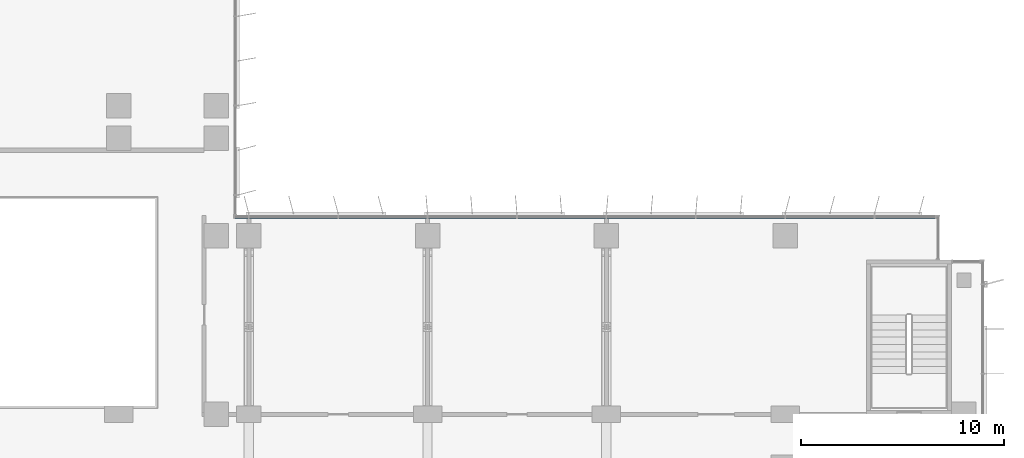
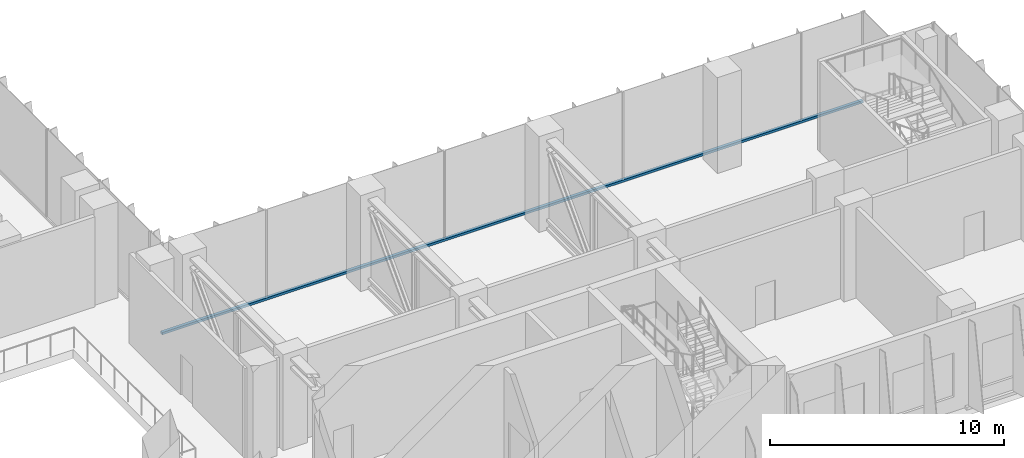
# One storey, part 3 of 21: 1 member, 1 element without a shape of its own.
"""IFC4 building model written with IfcOpenShell, lengths in metres."""

import ifcopenshell
import ifcopenshell.guid

model = None  # the IFC model being written
_history = None  # IfcOwnerHistory: only IFC2X3 demands one
_inside = {}  # id of a spatial element -> (the spatial element, [elements in it])
_under = {}  # id of a project, library or spatial element -> (it, [spatial elements below it])
_declared = {}  # id of a project -> (the project, [libraries it declares])
_typed = {}  # id of a type object -> (the type object, [elements of that type])
_made_of = {}  # id of a material, layer set ... -> (it, [elements and type objects made of it])


def new_model(schema):
    """Start an empty IFC model of exactly this schema.

    Asked for "IFC4X3", IfcOpenShell would pick the latest addendum, in which some entities
    have other attributes; the version numbers below select the first issue.
    IFC2X3 requires an IfcOwnerHistory on every rooted entity: one is made here for all.
    """
    global model, _history
    if schema == "IFC4X3":
        model = ifcopenshell.file(schema_version=(4, 3, 0, 0))
    else:
        model = ifcopenshell.file(schema=schema)
    _inside.clear()
    _under.clear()
    _declared.clear()
    _typed.clear()
    _made_of.clear()
    _history = None
    if model.schema == "IFC2X3":
        org = make("IfcOrganization", Name="unknown")
        user = make(
            "IfcPersonAndOrganization",
            ThePerson=make("IfcPerson", FamilyName="unknown"),
            TheOrganization=org,
        )
        app = make(
            "IfcApplication",
            ApplicationDeveloper=org,
            Version="unknown",
            ApplicationFullName="unknown",
            ApplicationIdentifier="unknown",
        )
        _history = make(
            "IfcOwnerHistory",
            OwningUser=user,
            OwningApplication=app,
            ChangeAction="ADDED",
            CreationDate=0,
        )
    return model


def make(cls, **values):
    """One entity of the class cls with the attributes given. An attribute that is None is left unset."""
    return model.create_entity(
        cls, **{name: value for name, value in values.items() if value is not None}
    )


def rooted(cls, **values):
    """An entity with a GlobalId (a new one), such as an element, a storey or a relation."""
    return make(cls, GlobalId=ifcopenshell.guid.new(), OwnerHistory=_history, **values)


def si_unit(unit_type, name, prefix=None):
    """IfcSIUnit, for example si_unit("LENGTHUNIT", "METRE", prefix="MILLI")."""
    return make("IfcSIUnit", UnitType=unit_type, Prefix=prefix, Name=name)


def assignment(units):
    """IfcUnitAssignment: the units of a project."""
    return None if units is None else make("IfcUnitAssignment", Units=units)


def point(xyz):
    """IfcCartesianPoint."""
    return None if xyz is None else make("IfcCartesianPoint", Coordinates=xyz)


def direction(xyz):
    """IfcDirection."""
    return None if xyz is None else make("IfcDirection", DirectionRatios=xyz)


def frame(location, z_axis=None, x_axis=None):
    """IfcAxis2Placement3D, a coordinate frame: its origin and axes. An axis left out is left unset."""
    return make(
        "IfcAxis2Placement3D",
        Location=point(location),
        Axis=direction(z_axis),
        RefDirection=direction(x_axis),
    )


def frame_2d(location, x_axis=None):
    """IfcAxis2Placement2D, a coordinate frame in the plane: its origin and x axis."""
    return make(
        "IfcAxis2Placement2D", Location=point(location), RefDirection=direction(x_axis)
    )


def origin():
    """The frame at (0, 0, 0) with its axes left unset."""
    return frame((0.0, 0.0, 0.0))


def origin_2d():
    """The frame at (0, 0) in the plane with its x axis left unset."""
    return frame_2d((0.0, 0.0))


def place(relative_to, where):
    """IfcLocalPlacement: puts the frame where relative to a parent placement (None: the world)."""
    return make(
        "IfcLocalPlacement", PlacementRelTo=relative_to, RelativePlacement=where
    )


def context(
    kind, dimensions, precision=None, world=None, true_north=None, identifier=None
):
    """IfcGeometricRepresentationContext, for example the 3D "Model" context."""
    return make(
        "IfcGeometricRepresentationContext",
        ContextIdentifier=identifier,
        ContextType=kind,
        CoordinateSpaceDimension=dimensions,
        Precision=precision,
        WorldCoordinateSystem=world,
        TrueNorth=true_north,
    )


def subcontext(parent, identifier, kind, view, scale=None):
    """IfcGeometricRepresentationSubContext, for example "Body" below "Model"."""
    return make(
        "IfcGeometricRepresentationSubContext",
        ContextIdentifier=identifier,
        ContextType=kind,
        ParentContext=parent,
        TargetScale=scale,
        TargetView=view,
    )


def project(units=None, contexts=None):
    """IfcProject with its units and contexts."""
    return rooted(
        "IfcProject",
        Name="project",
        RepresentationContexts=contexts,
        UnitsInContext=assignment(units),
    )


def spatial(cls, under=None, at=None, **own):
    """A site, building, storey or space (cls), placed at a placement, below another one or the project."""
    s = rooted(cls, ObjectPlacement=at, **own)
    if under is not None:
        _under.setdefault(under.id(), (under, []))[1].append(s)
    return s


def profile(cls, at=None, kind="AREA", **sizes):
    """A parametric profile (cls). Its sizes go by their IFC names, for example OverallWidth=200.0."""
    return make(cls, ProfileType=kind, Position=at, **sizes)


def rectangle(**sizes):
    """IfcRectangleProfileDef."""
    return profile("IfcRectangleProfileDef", **sizes)


def extrude(swept, where, along, depth):
    """IfcExtrudedAreaSolid: the profile swept, set in the frame where, extruded along a direction by depth."""
    return make(
        "IfcExtrudedAreaSolid",
        SweptArea=swept,
        Position=where,
        ExtrudedDirection=direction(along),
        Depth=depth,
    )


def shape(context_of_items, identifier, shape_type, items):
    """IfcShapeRepresentation: the items that make up one representation, for example the "Body"."""
    return make(
        "IfcShapeRepresentation",
        ContextOfItems=context_of_items,
        RepresentationIdentifier=identifier,
        RepresentationType=shape_type,
        Items=items,
    )


def material(Name=None, Category=None):
    """IfcMaterial."""
    return make("IfcMaterial", Name=Name, Category=Category)


def material_profile(
    of_material, cross_section, Name=None, Category=None, Priority=None
):
    """IfcMaterialProfile: a cross section and its material."""
    return make(
        "IfcMaterialProfile",
        Name=Name,
        Material=of_material,
        Profile=cross_section,
        Priority=Priority,
        Category=Category,
    )


def profile_set(profiles, Name=None, composite=None):
    """IfcMaterialProfileSet."""
    return make(
        "IfcMaterialProfileSet",
        Name=Name,
        MaterialProfiles=profiles,
        CompositeProfile=composite,
    )


def made_of(thing, what):
    """Note that an element or type object is made of a material, layer set ...; save() writes the relation."""
    if what is not None:
        _made_of.setdefault(what.id(), (what, []))[1].append(thing)
    return thing


def type_object(cls, material=None, **own):
    """A type object (cls), such as IfcWallType, which elements share."""
    return made_of(rooted(cls, **own), material)


def element(
    cls,
    number,
    at=None,
    inside=None,
    cuts=None,
    type_object=None,
    material=None,
    context=None,
    identifier="Body",
    shape_type=None,
    held_by="IfcProductDefinitionShape",
    body=None,
    shapes=None,
    **own,
):
    """One element of the class cls, such as IfcWall. Its Tag is "e" and its number.

    at: its placement. inside: the storey or other place that contains it. cuts: it is an
    opening in that element (IfcRelVoidsElement). A single representation is given by context,
    identifier, shape_type and body (its items); several are given by shapes. held_by: the class
    of the entity that holds the representations. save() writes the other relations.
    """
    e = rooted(cls, Tag="e%d" % number, ObjectPlacement=at, **own)
    if body is not None:
        shapes = [shape(context, identifier, shape_type, body)]
    if shapes is not None:
        e.Representation = make(held_by, Representations=shapes)
    if inside is not None:
        _inside.setdefault(inside.id(), (inside, []))[1].append(e)
    if cuts is not None:
        rooted(
            "IfcRelVoidsElement", RelatingBuildingElement=cuts, RelatedOpeningElement=e
        )
    if type_object is not None:
        _typed.setdefault(type_object.id(), (type_object, []))[1].append(e)
    return made_of(e, material)


def aggregate(whole, parts):
    """IfcRelAggregates: a whole, such as a stair, and the parts it consists of."""
    return rooted("IfcRelAggregates", RelatingObject=whole, RelatedObjects=parts)


def save(model, path):
    """Write the relations noted so far, then the file.

    IfcRelAggregates (storeys below a building ...), IfcRelContainedInSpatialStructure (elements
    in a storey), IfcRelDefinesByType, IfcRelAssociatesMaterial and IfcRelDeclares: one each for
    every whole, place, type object, material and project.
    """
    for whole, parts in _under.values():
        aggregate(whole, parts)
    for where, things in _inside.values():
        rooted(
            "IfcRelContainedInSpatialStructure",
            RelatedElements=things,
            RelatingStructure=where,
        )
    for kind, things in _typed.values():
        rooted("IfcRelDefinesByType", RelatedObjects=things, RelatingType=kind)
    for what, things in _made_of.values():
        rooted("IfcRelAssociatesMaterial", RelatedObjects=things, RelatingMaterial=what)
    for by, libraries in _declared.values():
        rooted("IfcRelDeclares", RelatingContext=by, RelatedDefinitions=libraries)
    model.write(path)


model = new_model("IFC4")

# Units and contexts
model_context = context("Model", 3, precision=1e-05, world=origin(), true_north=direction((0.0, 1.0)))
body_context = subcontext(model_context, "Body", "Model", "MODEL_VIEW")
ifc_project = project(units=[si_unit("LENGTHUNIT", "METRE"), si_unit("AREAUNIT", "SQUARE_METRE"), si_unit("VOLUMEUNIT", "CUBIC_METRE"), si_unit("PLANEANGLEUNIT", "RADIAN"), si_unit("MASSUNIT", "GRAM", prefix="KILO")], contexts=[model_context])

# Site, building, storey
site_placement = place(None, origin())
site = spatial("IfcSite", under=ifc_project, at=site_placement, CompositionType="ELEMENT")
building_placement = place(site_placement, origin())
building = spatial("IfcBuilding", under=site, at=building_placement, Name="Kemantara Hotel Tower", CompositionType="ELEMENT")
storey_placement = place(building_placement, frame((0.0, 0.0, 133.300048828125)))
storey = spatial("IfcBuildingStorey", under=building, at=storey_placement, Name="L32", CompositionType="ELEMENT", Elevation=133.300048828125)

# Curtain wall, member
ifc_material_1 = material(Name="Low-E tinted double insulated glass 36 mm", Category="glass")
curtain_wall_type = type_object("IfcCurtainWallType", Name="TOWER CURTAIN WALL, FRONT FACES", PredefinedType="USERDEFINED", material=ifc_material_1)
curtain_wall_placement = place(storey_placement, origin())
curtain_wall = element("IfcCurtainWall", 1, at=curtain_wall_placement, inside=storey, type_object=curtain_wall_type, Name="CW4 L32 T2-R13-1", ObjectType="TOWER CURTAIN WALL, FRONT FACES", PredefinedType="USERDEFINED")
ifc_material_2 = material(Name="Aluminium 6063-T6 bronze anodised", Category="aluminium")
ifc_material_profile = material_profile(ifc_material_2, rectangle(XDim=0.14990234375, YDim=0.1201171875, at=origin_2d()), Name="TOWER CURTAIN WALL, FRONT FACES TRANSOM")
ifc_profile_set = profile_set([ifc_material_profile], Name="Aluminium 6063-T6 bronze anodised")
member_type = type_object("IfcMemberType", Name="TOWER CURTAIN WALL, FRONT FACES TRANSOM", PredefinedType="USERDEFINED", material=ifc_profile_set)
member_placement = place(storey_placement, frame((61.25, 21.925048828125, 0.06005859375), z_axis=(-1.0, 0.0, 0.0), x_axis=(0.0, -1.0, 0.0)))
member = element("IfcMember", 2, at=member_placement, type_object=member_type, Name="CW4 sill transom T2-R13-1", ObjectType="TRANSOM", PredefinedType="USERDEFINED", context=body_context, shape_type="SweptSolid", body=[
    extrude(rectangle(XDim=0.14990234375, YDim=0.1201171875, at=origin_2d()), origin(), (0.0, 0.0, 1.0), 34.60009765625),
])
aggregate(curtain_wall, [member])

save(model, "model.ifc")
